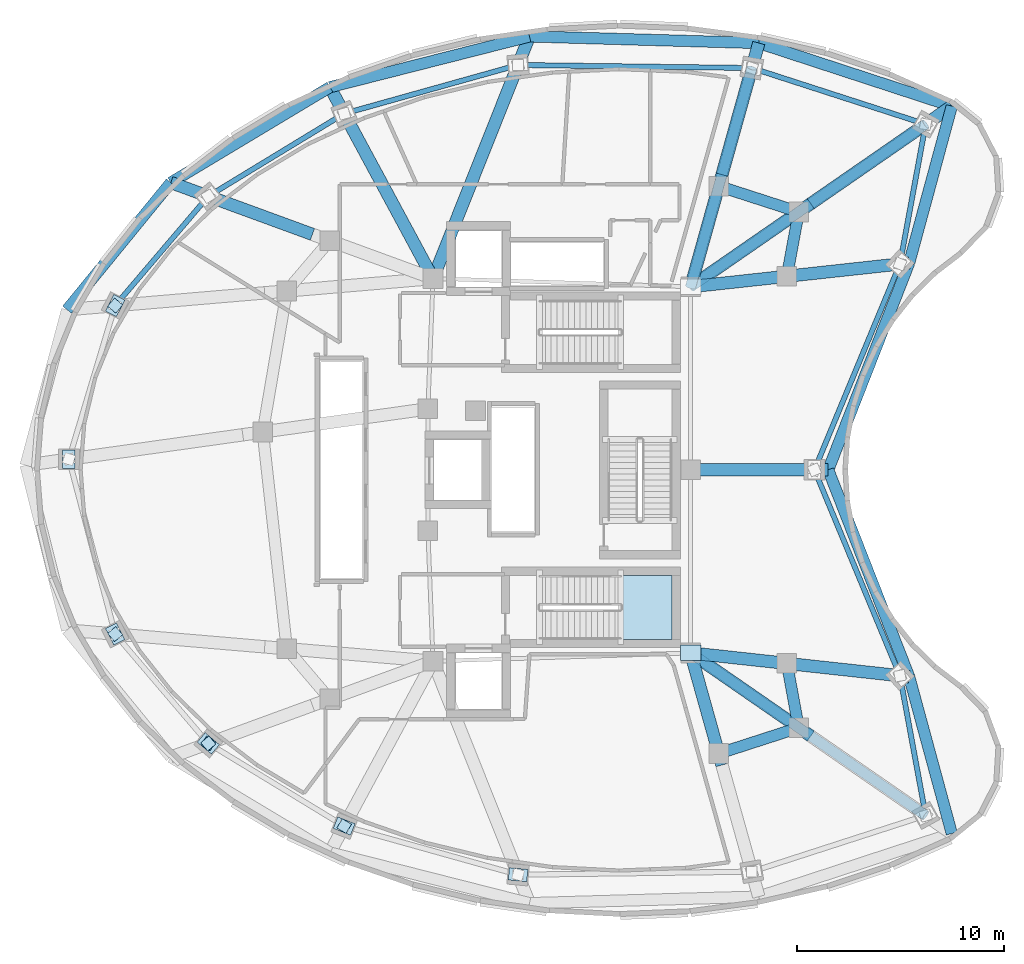
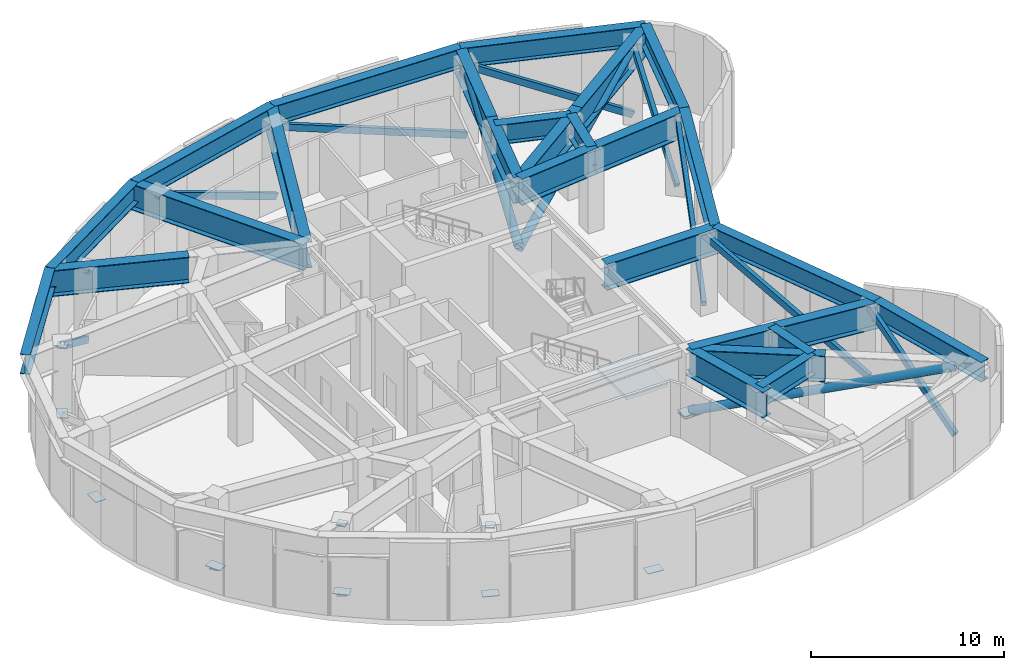
# One storey, part 2 of 10: 27 beams, 13 plates, 12 members, 1 slab, 1 element without a shape of its own.
"""IFC4 building model written with IfcOpenShell, lengths in metres."""

from ifc_helpers import new_model, si_unit, direction, frame, origin, origin_2d, place, context, subcontext, project, spatial, polyline, rectangle, hollow_rectangle, hollow_circle, i_section, outline, extrude, material, layer, layer_set, material_profile, profile_set, type_object, element, aggregate, save


model = new_model("IFC4")

# Units and contexts
model_context = context("Model", 3, precision=1e-05, world=origin(), true_north=direction((0.0, 1.0)))
body_context = subcontext(model_context, "Body", "Model", "MODEL_VIEW")
ifc_project = project(units=[si_unit("LENGTHUNIT", "METRE"), si_unit("AREAUNIT", "SQUARE_METRE"), si_unit("VOLUMEUNIT", "CUBIC_METRE"), si_unit("PLANEANGLEUNIT", "RADIAN"), si_unit("MASSUNIT", "GRAM", prefix="KILO")], contexts=[model_context])

# Site, building, storey
site_placement = place(None, origin())
site = spatial("IfcSite", under=ifc_project, at=site_placement, CompositionType="ELEMENT")
building_placement = place(site_placement, origin())
building = spatial("IfcBuilding", under=site, at=building_placement, Name="Korentha Bioscience Tower", CompositionType="ELEMENT")
storey_placement = place(building_placement, frame((0.0, 0.0, 213.0)))
storey = spatial("IfcBuildingStorey", under=building, at=storey_placement, Name="L49", CompositionType="ELEMENT", Elevation=213.0)

# Members
ifc_material_1 = material(Name="Steel S355", Category="steel")
ifc_material_profile_1 = material_profile(ifc_material_1, hollow_rectangle(XDim=0.25, YDim=0.39990234375, WallThickness=0.02001953125, at=origin_2d()), Name="Steel S355")
ifc_profile_set_1 = profile_set([ifc_material_profile_1], Name="Steel S355 (BT-D400)")
member_type_1 = type_object("IfcMemberType", Name="Belt-Truss Web Diagonal RHS 400x250x20", PredefinedType="BRACE", material=ifc_profile_set_1)
member_1_placement = place(storey_placement, frame((48.912841796875, 43.707763671875, 0.35009765625), z_axis=(-0.851704632584, 0.275258229599, 0.445905960795), x_axis=(-0.307523670151, -0.951540431246, 0.0)))
element("IfcMember", 1, at=member_1_placement, inside=storey, type_object=member_type_1, Name="L49 Perimeter Belt-Truss Diagonal 01", PredefinedType="BRACE", context=body_context, shape_type="SweptSolid", body=[
    extrude(hollow_rectangle(XDim=0.25, YDim=0.39990234375, WallThickness=0.02001953125, at=origin_2d()), origin(), (0.0, 0.0, 1.0), 9.867431640625),
])
member_2_placement = place(storey_placement, frame((40.5087890625, 46.423828125, 0.35009765625), z_axis=(-0.931774032831, 0.012120048568, 0.362836404133), x_axis=(-0.013006397415, -0.999915413236, 0.0)))
element("IfcMember", 2, at=member_2_placement, inside=storey, type_object=member_type_1, Name="L49 Perimeter Belt-Truss Diagonal 02", PredefinedType="BRACE", context=body_context, shape_type="SweptSolid", body=[
    extrude(hollow_rectangle(XDim=0.25, YDim=0.39990234375, WallThickness=0.02001953125, at=origin_2d()), origin(), (0.0, 0.0, 1.0), 12.12646484375),
])
member_3_placement = place(storey_placement, frame((29.209716796875, 46.57080078125, 0.35009765625), z_axis=(-0.859997957436, -0.240436787368, 0.450104059619), x_axis=(0.269253325258, -0.963069388381, 0.0)))
element("IfcMember", 3, at=member_3_placement, inside=storey, type_object=member_type_1, Name="L49 Perimeter Belt-Truss Diagonal 03", PredefinedType="BRACE", context=body_context, shape_type="SweptSolid", body=[
    extrude(hollow_rectangle(XDim=0.25, YDim=0.39990234375, WallThickness=0.02001953125, at=origin_2d()), origin(), (0.0, 0.0, 1.0), 9.775390625),
])
member_4_placement = place(storey_placement, frame((20.802978515625, 44.220458984375, 0.35009765625), z_axis=(-0.741483366715, -0.45104768644, 0.496747824799), x_axis=(0.519703104755, -0.854346933574, 0.0)))
element("IfcMember", 4, at=member_4_placement, inside=storey, type_object=member_type_1, Name="L49 Perimeter Belt-Truss Diagonal 04", PredefinedType="BRACE", context=body_context, shape_type="SweptSolid", body=[
    extrude(hollow_rectangle(XDim=0.25, YDim=0.39990234375, WallThickness=0.02001953125, at=origin_2d()), origin(), (0.0, 0.0, 1.0), 8.857421875),
])
member_5_placement = place(storey_placement, frame((14.2353515625, 40.225341796875, 0.35009765625), z_axis=(-0.547708072652, -0.64302234625, 0.535292564281), x_axis=(0.76127344642, -0.648430983047, 0.0)))
element("IfcMember", 5, at=member_5_placement, inside=storey, type_object=member_type_1, Name="L49 Perimeter Belt-Truss Diagonal 05", PredefinedType="BRACE", context=body_context, shape_type="SweptSolid", body=[
    extrude(hollow_rectangle(XDim=0.25, YDim=0.39990234375, WallThickness=0.02001953125, at=origin_2d()), origin(), (0.0, 0.0, 1.0), 8.2197265625),
])
member_6_placement = place(storey_placement, frame((48.912841796875, 10.292236328125, 0.35009765625), z_axis=(-0.152375689446, 0.828144362851, 0.539405750381), x_axis=(-0.98349066461, -0.180958869982, 0.0)))
element("IfcMember", 6, at=member_6_placement, inside=storey, type_object=member_type_1, Name="L49 Perimeter Belt-Truss Diagonal 13", PredefinedType="BRACE", context=body_context, shape_type="SweptSolid", body=[
    extrude(hollow_rectangle(XDim=0.25, YDim=0.39990234375, WallThickness=0.02001953125, at=origin_2d()), origin(), (0.0, 0.0, 1.0), 8.156982421875),
])
for number, where, z_axis, x_axis, name in (
    (7, (47.669921875, 17.04736328125, 0.35009765625), (-0.355064847756, 0.855016456, 0.377989171614), (-0.923533382676, -0.383518045315, 0.0), "L49 Perimeter Belt-Truss Diagonal 14"),
    (8, (43.536865234375, 27.0, 0.35009765625), (0.355064847756, 0.855016456, 0.377989171614), (-0.923533382676, 0.383518045315, 0.0), "L49 Perimeter Belt-Truss Diagonal 15"),
):
    element("IfcMember", number, at=place(storey_placement, frame(where, z_axis=z_axis, x_axis=x_axis)), inside=storey, type_object=member_type_1, Name=name, PredefinedType="BRACE", context=body_context, shape_type="SweptSolid", body=[
        extrude(hollow_rectangle(XDim=0.25, YDim=0.39990234375, WallThickness=0.02001953125, at=origin_2d()), origin(), (0.0, 0.0, 1.0), 11.640380859375),
    ])
member_7_placement = place(storey_placement, frame((47.669921875, 36.95263671875, 0.35009765625), z_axis=(0.152375689446, 0.828144362851, 0.539405750381), x_axis=(-0.98349066461, 0.180958869982, 0.0)))
element("IfcMember", 9, at=member_7_placement, inside=storey, type_object=member_type_1, Name="L49 Perimeter Belt-Truss Diagonal 16", PredefinedType="BRACE", context=body_context, shape_type="SweptSolid", body=[
    extrude(hollow_rectangle(XDim=0.25, YDim=0.39990234375, WallThickness=0.02001953125, at=origin_2d()), origin(), (0.0, 0.0, 1.0), 8.156982421875),
])

# Beams
ifc_material_profile_2 = material_profile(ifc_material_1, i_section(OverallWidth=0.550048828125, OverallDepth=1.25, WebThickness=0.02392578125, FlangeThickness=0.0400390625, at=origin_2d()), Name="Steel S355")
ifc_profile_set_2 = profile_set([ifc_material_profile_2], Name="Steel S355 (TG-03)")
beam_type_1 = type_object("IfcBeamType", Name="Crown Step Transfer Girder CVS 1250x510", PredefinedType="USERDEFINED", material=ifc_profile_set_2)
for number, where, z_axis, x_axis, name in (
    (10, (42.77685546875, 39.464599609375, 4.47509765625), (-0.951528341902, 0.307561074514, 0.0), (-0.307561074514, -0.951528341902, 0.0), "L49 Mid-Ring Tie Girder 01"),
    (11, (38.9111328125, 13.285888671875, 4.47509765625), (0.951528341902, 0.307561074514, 0.0), (-0.307561074514, 0.951528341902, 0.0), "L49 Mid-Ring Tie Girder 12"),
):
    element("IfcBeam", number, at=place(storey_placement, frame(where, z_axis=z_axis, x_axis=x_axis)), inside=storey, type_object=beam_type_1, Name=name, ObjectType="TRANSFER_GIRDER", PredefinedType="USERDEFINED", context=body_context, shape_type="SweptSolid", body=[
        extrude(i_section(OverallWidth=0.550048828125, OverallDepth=1.25, WebThickness=0.02392578125, FlangeThickness=0.0400390625, at=origin_2d()), origin(), (0.0, 0.0, 1.0), 4.062744140625),
    ])
for number, where, z_axis, x_axis, name in (
    (12, (42.77685546875, 14.535400390625, 4.47509765625), (-0.180965758034, 0.983489397207, 0.0), (-0.983489397207, -0.180965758034, 0.0), "L49 Mid-Ring Tie Girder 13"),
    (13, (42.205078125, 36.357177734375, 4.47509765625), (0.180965758034, 0.983489397207, 0.0), (-0.983489397207, 0.180965758034, 0.0), "L49 Mid-Ring Tie Girder 16"),
):
    element("IfcBeam", number, at=place(storey_placement, frame(where, z_axis=z_axis, x_axis=x_axis)), inside=storey, type_object=beam_type_1, Name=name, ObjectType="TRANSFER_GIRDER", PredefinedType="USERDEFINED", context=body_context, shape_type="SweptSolid", body=[
        extrude(i_section(OverallWidth=0.550048828125, OverallDepth=1.25, WebThickness=0.02392578125, FlangeThickness=0.0400390625, at=origin_2d()), origin(), (0.0, 0.0, 1.0), 3.15966796875),
    ])
beam_1_placement = place(storey_placement, frame((50.175537109375, 44.580810546875, 4.47509765625), z_axis=(-0.950449256032, 0.310879738338, 0.0), x_axis=(-0.310879738338, -0.950449256032, 0.0)))
element("IfcBeam", 14, at=beam_1_placement, inside=storey, type_object=beam_type_1, Name="L49 Perimeter Spandrel Girder 01", ObjectType="TRANSFER_GIRDER", PredefinedType="USERDEFINED", context=body_context, shape_type="SweptSolid", body=[
    extrude(i_section(OverallWidth=0.550048828125, OverallDepth=1.25, WebThickness=0.02392578125, FlangeThickness=0.0400390625, at=origin_2d()), origin(), (0.0, 0.0, 1.0), 9.81494140625),
])
beam_2_placement = place(storey_placement, frame((40.846923828125, 47.632080078125, 4.47509765625), z_axis=(-0.999586140554, 0.028767127286, 0.0), x_axis=(-0.028767127286, -0.999586140554, 0.0)))
element("IfcBeam", 15, at=beam_2_placement, inside=storey, type_object=beam_type_1, Name="L49 Perimeter Spandrel Girder 02", ObjectType="TRANSFER_GIRDER", PredefinedType="USERDEFINED", context=body_context, shape_type="SweptSolid", body=[
    extrude(i_section(OverallWidth=0.550048828125, OverallDepth=1.25, WebThickness=0.02392578125, FlangeThickness=0.0400390625, at=origin_2d()), origin(), (0.0, 0.0, 1.0), 11.09228515625),
])
beam_3_placement = place(storey_placement, frame((29.75927734375, 47.951171875, 4.47509765625), z_axis=(-0.969197317616, -0.246285524395, 0.0), x_axis=(0.246285524395, -0.969197317616, 0.0)))
element("IfcBeam", 16, at=beam_3_placement, inside=storey, type_object=beam_type_1, Name="L49 Perimeter Spandrel Girder 03", ObjectType="TRANSFER_GIRDER", PredefinedType="USERDEFINED", context=body_context, shape_type="SweptSolid", body=[
    extrude(i_section(OverallWidth=0.550048828125, OverallDepth=1.25, WebThickness=0.02392578125, FlangeThickness=0.0400390625, at=origin_2d()), origin(), (0.0, 0.0, 1.0), 9.95263671875),
])
beam_4_placement = place(storey_placement, frame((20.11328125, 45.5, 4.47509765625), z_axis=(-0.857644232791, -0.514243492872, 0.0), x_axis=(0.514243492872, -0.857644232791, 0.0)))
element("IfcBeam", 17, at=beam_4_placement, inside=storey, type_object=beam_type_1, Name="L49 Perimeter Spandrel Girder 04", ObjectType="TRANSFER_GIRDER", PredefinedType="USERDEFINED", context=body_context, shape_type="SweptSolid", body=[
    extrude(i_section(OverallWidth=0.550048828125, OverallDepth=1.25, WebThickness=0.02392578125, FlangeThickness=0.0400390625, at=origin_2d()), origin(), (0.0, 0.0, 1.0), 8.96728515625),
])
beam_5_placement = place(storey_placement, frame((12.422607421875, 40.888671875, 4.47509765625), z_axis=(-0.632315820697, -0.774710722074, 0.0), x_axis=(0.774710722074, -0.632315820697, 0.0)))
element("IfcBeam", 18, at=beam_5_placement, inside=storey, type_object=beam_type_1, Name="L49 Perimeter Spandrel Girder 05", ObjectType="TRANSFER_GIRDER", PredefinedType="USERDEFINED", context=body_context, shape_type="SweptSolid", body=[
    extrude(i_section(OverallWidth=0.550048828125, OverallDepth=1.25, WebThickness=0.02392578125, FlangeThickness=0.0400390625, at=origin_2d()), origin(), (0.0, 0.0, 1.0), 7.934814453125),
])
beam_6_placement = place(storey_placement, frame((50.175537109375, 9.419189453125, 4.47509765625), z_axis=(-0.26215989838, 0.965024449266, 0.0), x_axis=(-0.965024449266, -0.26215989838, 0.0)))
element("IfcBeam", 19, at=beam_6_placement, inside=storey, type_object=beam_type_1, Name="L49 Perimeter Spandrel Girder 13", ObjectType="TRANSFER_GIRDER", PredefinedType="USERDEFINED", context=body_context, shape_type="SweptSolid", body=[
    extrude(i_section(OverallWidth=0.550048828125, OverallDepth=1.25, WebThickness=0.02392578125, FlangeThickness=0.0400390625, at=origin_2d()), origin(), (0.0, 0.0, 1.0), 7.854248046875),
])
for number, where, z_axis, x_axis, name in (
    (20, (48.116455078125, 16.998779296875, 4.47509765625), (-0.364482486075, 0.931210243363, 0.0), (-0.931210243363, -0.364482486075, 0.0), "L49 Perimeter Spandrel Girder 14"),
    (21, (44.201904296875, 27.0, 4.47509765625), (0.364482486075, 0.931210243363, 0.0), (-0.931210243363, 0.364482486075, 0.0), "L49 Perimeter Spandrel Girder 15"),
):
    element("IfcBeam", number, at=place(storey_placement, frame(where, z_axis=z_axis, x_axis=x_axis)), inside=storey, type_object=beam_type_1, Name=name, ObjectType="TRANSFER_GIRDER", PredefinedType="USERDEFINED", context=body_context, shape_type="SweptSolid", body=[
        extrude(i_section(OverallWidth=0.550048828125, OverallDepth=1.25, WebThickness=0.02392578125, FlangeThickness=0.0400390625, at=origin_2d()), origin(), (0.0, 0.0, 1.0), 10.739990234375),
    ])
beam_7_placement = place(storey_placement, frame((48.116455078125, 37.001220703125, 4.47509765625), z_axis=(0.26215989838, 0.965024449266, 0.0), x_axis=(-0.965024449266, 0.26215989838, 0.0)))
element("IfcBeam", 22, at=beam_7_placement, inside=storey, type_object=beam_type_1, Name="L49 Perimeter Spandrel Girder 16", ObjectType="TRANSFER_GIRDER", PredefinedType="USERDEFINED", context=body_context, shape_type="SweptSolid", body=[
    extrude(i_section(OverallWidth=0.550048828125, OverallDepth=1.25, WebThickness=0.02392578125, FlangeThickness=0.0400390625, at=origin_2d()), origin(), (0.0, 0.0, 1.0), 7.854248046875),
])
ifc_material_profile_3 = material_profile(ifc_material_1, i_section(OverallWidth=0.60009765625, OverallDepth=1.64990234375, WebThickness=0.02587890625, FlangeThickness=0.0439453125, at=origin_2d()), Name="Steel S355")
ifc_profile_set_3 = profile_set([ifc_material_profile_3], Name="Steel S355 (TG-04)")
beam_type_2 = type_object("IfcBeamType", Name="Deep Setback Transfer Girder CVS 1650x620", PredefinedType="USERDEFINED", material=ifc_profile_set_3)
beam_8_placement = place(storey_placement, frame((37.550048828125, 35.85009765625, 4.27490234375), z_axis=(0.822493302413, 0.568774795052, 0.0), x_axis=(-0.568774795052, 0.822493302413, 0.0)))
element("IfcBeam", 23, at=beam_8_placement, inside=storey, type_object=beam_type_2, Name="L49 Inner Radial Transfer Girder 01", ObjectType="TRANSFER_GIRDER", PredefinedType="USERDEFINED", context=body_context, shape_type="SweptSolid", body=[
    extrude(i_section(OverallWidth=0.60009765625, OverallDepth=1.64990234375, WebThickness=0.02587890625, FlangeThickness=0.0439453125, at=origin_2d()), origin(), (0.0, 0.0, 1.0), 7.06103515625),
])
beam_9_placement = place(storey_placement, frame((43.357666015625, 39.8662109375, 4.27490234375), z_axis=(0.82250061903, 0.568764214499, 0.0), x_axis=(-0.568764214499, 0.82250061903, 0.0)))
element("IfcBeam", 24, at=beam_9_placement, inside=storey, type_object=beam_type_2, Name="L49 Outer Radial Transfer Girder 01", ObjectType="TRANSFER_GIRDER", PredefinedType="USERDEFINED", context=body_context, shape_type="SweptSolid", body=[
    extrude(i_section(OverallWidth=0.60009765625, OverallDepth=1.64990234375, WebThickness=0.02587890625, FlangeThickness=0.0439453125, at=origin_2d()), origin(), (0.0, 0.0, 1.0), 8.289306640625),
])
beam_10_placement = place(storey_placement, frame((37.550048828125, 35.85009765625, 4.27490234375), z_axis=(0.269480278508, 0.963005908339, 0.0), x_axis=(-0.963005908339, 0.269480278508, 0.0)))
element("IfcBeam", 25, at=beam_10_placement, inside=storey, type_object=beam_type_2, Name="L49 Inner Radial Transfer Girder 02", ObjectType="TRANSFER_GIRDER", PredefinedType="USERDEFINED", context=body_context, shape_type="SweptSolid", body=[
    extrude(i_section(OverallWidth=0.60009765625, OverallDepth=1.64990234375, WebThickness=0.02587890625, FlangeThickness=0.0439453125, at=origin_2d()), origin(), (0.0, 0.0, 1.0), 5.6279296875),
])
beam_11_placement = place(storey_placement, frame((39.066650390625, 41.269775390625, 4.27490234375), z_axis=(0.269465439817, 0.963010060562, 0.0), x_axis=(-0.963010060562, 0.269465439817, 0.0)))
element("IfcBeam", 26, at=beam_11_placement, inside=storey, type_object=beam_type_2, Name="L49 Outer Radial Transfer Girder 02", ObjectType="TRANSFER_GIRDER", PredefinedType="USERDEFINED", context=body_context, shape_type="SweptSolid", body=[
    extrude(i_section(OverallWidth=0.60009765625, OverallDepth=1.64990234375, WebThickness=0.02587890625, FlangeThickness=0.0439453125, at=origin_2d()), origin(), (0.0, 0.0, 1.0), 6.606689453125),
])
beam_12_placement = place(storey_placement, frame((25.10009765625, 36.25, 4.27490234375), z_axis=(0.369933042289, 0.929058418089, 0.0), x_axis=(-0.929058418089, 0.369933042289, 0.0)))
element("IfcBeam", 27, at=beam_12_placement, inside=storey, type_object=beam_type_2, Name="L49 Radial Transfer Girder 03", ObjectType="TRANSFER_GIRDER", PredefinedType="USERDEFINED", context=body_context, shape_type="SweptSolid", body=[
    extrude(i_section(OverallWidth=0.60009765625, OverallDepth=1.64990234375, WebThickness=0.02587890625, FlangeThickness=0.0439453125, at=origin_2d()), origin(), (0.0, 0.0, 1.0), 12.5947265625),
])
beam_13_placement = place(storey_placement, frame((25.10009765625, 36.25, 4.27490234375), z_axis=(-0.474545867703, 0.880230776243, 0.0), x_axis=(-0.880230776243, -0.474545867703, 0.0)))
element("IfcBeam", 28, at=beam_13_placement, inside=storey, type_object=beam_type_2, Name="L49 Radial Transfer Girder 04", ObjectType="TRANSFER_GIRDER", PredefinedType="USERDEFINED", context=body_context, shape_type="SweptSolid", body=[
    extrude(i_section(OverallWidth=0.60009765625, OverallDepth=1.64990234375, WebThickness=0.02587890625, FlangeThickness=0.0439453125, at=origin_2d()), origin(), (0.0, 0.0, 1.0), 10.508544921875),
])
beam_14_placement = place(storey_placement, frame((19.268310546875, 38.3837890625, 4.27490234375), z_axis=(-0.939107036581, 0.343624757322, 0.0), x_axis=(-0.343624757322, -0.939107036581, 0.0)))
element("IfcBeam", 29, at=beam_14_placement, inside=storey, type_object=beam_type_2, Name="L49 Outer Radial Transfer Girder 05", ObjectType="TRANSFER_GIRDER", PredefinedType="USERDEFINED", context=body_context, shape_type="SweptSolid", body=[
    extrude(i_section(OverallWidth=0.60009765625, OverallDepth=1.64990234375, WebThickness=0.02587890625, FlangeThickness=0.0439453125, at=origin_2d()), origin(), (0.0, 0.0, 1.0), 7.28955078125),
])
beam_15_placement = place(storey_placement, frame((37.550048828125, 18.14990234375, 4.27490234375), z_axis=(0.269480278508, -0.963005908339, 0.0), x_axis=(0.963005908339, 0.269480278508, 0.0)))
element("IfcBeam", 30, at=beam_15_placement, inside=storey, type_object=beam_type_2, Name="L49 Inner Radial Transfer Girder 12", ObjectType="TRANSFER_GIRDER", PredefinedType="USERDEFINED", context=body_context, shape_type="SweptSolid", body=[
    extrude(i_section(OverallWidth=0.60009765625, OverallDepth=1.64990234375, WebThickness=0.02587890625, FlangeThickness=0.0439453125, at=origin_2d()), origin(), (0.0, 0.0, 1.0), 5.6279296875),
])
beam_16_placement = place(storey_placement, frame((37.550048828125, 18.14990234375, 4.27490234375), z_axis=(0.822493302413, -0.568774795052, 0.0), x_axis=(0.568774795052, 0.822493302413, 0.0)))
element("IfcBeam", 31, at=beam_16_placement, inside=storey, type_object=beam_type_2, Name="L49 Inner Radial Transfer Girder 13", ObjectType="TRANSFER_GIRDER", PredefinedType="USERDEFINED", context=body_context, shape_type="SweptSolid", body=[
    extrude(i_section(OverallWidth=0.60009765625, OverallDepth=1.64990234375, WebThickness=0.02587890625, FlangeThickness=0.0439453125, at=origin_2d()), origin(), (0.0, 0.0, 1.0), 7.06103515625),
])
beam_17_placement = place(storey_placement, frame((37.550048828125, 18.14990234375, 4.27490234375), z_axis=(0.994117728659, -0.108304854762, 0.0), x_axis=(0.108304854762, 0.994117728659, 0.0)))
element("IfcBeam", 32, at=beam_17_placement, inside=storey, type_object=beam_type_2, Name="L49 Inner Radial Transfer Girder 14", ObjectType="TRANSFER_GIRDER", PredefinedType="USERDEFINED", context=body_context, shape_type="SweptSolid", body=[
    extrude(i_section(OverallWidth=0.60009765625, OverallDepth=1.64990234375, WebThickness=0.02587890625, FlangeThickness=0.0439453125, at=origin_2d()), origin(), (0.0, 0.0, 1.0), 4.889404296875),
])
beam_18_placement = place(storey_placement, frame((42.41064453125, 17.620361328125, 4.27490234375), z_axis=(0.994118507308, -0.108297707398, 0.0), x_axis=(0.108297707398, 0.994118507308, 0.0)))
element("IfcBeam", 33, at=beam_18_placement, inside=storey, type_object=beam_type_2, Name="L49 Outer Radial Transfer Girder 14", ObjectType="TRANSFER_GIRDER", PredefinedType="USERDEFINED", context=body_context, shape_type="SweptSolid", body=[
    extrude(i_section(OverallWidth=0.60009765625, OverallDepth=1.64990234375, WebThickness=0.02587890625, FlangeThickness=0.0439453125, at=origin_2d()), origin(), (0.0, 0.0, 1.0), 5.739501953125),
])
beam_19_placement = place(storey_placement, frame((37.550048828125, 27.0, 4.27490234375), z_axis=(1.0, 0.0, 0.0), x_axis=(0.0, 1.0, 0.0)))
element("IfcBeam", 34, at=beam_19_placement, inside=storey, type_object=beam_type_2, Name="L49 Radial Transfer Girder 15", ObjectType="TRANSFER_GIRDER", PredefinedType="USERDEFINED", context=body_context, shape_type="SweptSolid", body=[
    extrude(i_section(OverallWidth=0.60009765625, OverallDepth=1.64990234375, WebThickness=0.02587890625, FlangeThickness=0.0439453125, at=origin_2d()), origin(), (0.0, 0.0, 1.0), 6.65185546875),
])
beam_20_placement = place(storey_placement, frame((37.550048828125, 35.85009765625, 4.27490234375), z_axis=(0.994117728659, 0.108304854762, 0.0), x_axis=(-0.108304854762, 0.994117728659, 0.0)))
element("IfcBeam", 35, at=beam_20_placement, inside=storey, type_object=beam_type_2, Name="L49 Inner Radial Transfer Girder 16", ObjectType="TRANSFER_GIRDER", PredefinedType="USERDEFINED", context=body_context, shape_type="SweptSolid", body=[
    extrude(i_section(OverallWidth=0.60009765625, OverallDepth=1.64990234375, WebThickness=0.02587890625, FlangeThickness=0.0439453125, at=origin_2d()), origin(), (0.0, 0.0, 1.0), 4.889404296875),
])
beam_21_placement = place(storey_placement, frame((42.41064453125, 36.379638671875, 4.27490234375), z_axis=(0.994118507308, 0.108297707398, 0.0), x_axis=(-0.108297707398, 0.994118507308, 0.0)))
element("IfcBeam", 36, at=beam_21_placement, inside=storey, type_object=beam_type_2, Name="L49 Outer Radial Transfer Girder 16", ObjectType="TRANSFER_GIRDER", PredefinedType="USERDEFINED", context=body_context, shape_type="SweptSolid", body=[
    extrude(i_section(OverallWidth=0.60009765625, OverallDepth=1.64990234375, WebThickness=0.02587890625, FlangeThickness=0.0439453125, at=origin_2d()), origin(), (0.0, 0.0, 1.0), 5.739501953125),
])

# Members
ifc_material_profile_4 = material_profile(ifc_material_1, hollow_circle(Radius=0.25390625, WallThickness=0.02490234375, at=origin_2d()), Name="Steel S355")
ifc_profile_set_4 = profile_set([ifc_material_profile_4], Name="Steel S355 (OU-508)")
member_type_2 = type_object("IfcMemberType", Name="Outrigger Diagonal Brace CHS 508x25", PredefinedType="USERDEFINED", material=ifc_profile_set_4)
member_8_placement = place(storey_placement, frame((37.550048828125, 35.85009765625, 0.60009765625), z_axis=(0.789279090583, 0.545806959959, 0.281306380357), x_axis=(-0.568775237311, 0.822492996579, 0.0)))
element("IfcMember", 37, at=member_8_placement, inside=storey, type_object=member_type_2, Name="L49 Outrigger Truss Diagonal 01", ObjectType="OUTRIGGER", PredefinedType="USERDEFINED", context=body_context, shape_type="SweptSolid", body=[
    extrude(hollow_circle(Radius=0.25390625, WallThickness=0.02490234375, at=origin_2d()), origin(), (0.0, 0.0, 1.0), 14.396484375),
])
member_9_placement = place(storey_placement, frame((37.550048828125, 35.85009765625, 0.75), z_axis=(0.253927346177, 0.907467065181, 0.334700505639), x_axis=(-0.963009037631, 0.269469095522, 0.0)))
element("IfcMember", 38, at=member_9_placement, inside=storey, type_object=member_type_2, Name="L49 Outrigger Truss Diagonal 02", ObjectType="OUTRIGGER", PredefinedType="USERDEFINED", context=body_context, shape_type="SweptSolid", body=[
    extrude(hollow_circle(Radius=0.25390625, WallThickness=0.02490234375, at=origin_2d()), origin(), (0.0, 0.0, 1.0), 11.65185546875),
])
member_10_placement = place(storey_placement, frame((37.550048828125, 18.14990234375, 1.050048828125), z_axis=(0.795915756845, -0.550396386791, 0.252154566514), x_axis=(0.568775237311, 0.822492996579, 0.0)))
element("IfcMember", 39, at=member_10_placement, inside=storey, type_object=member_type_2, Name="L49 Outrigger Truss Diagonal 04", ObjectType="OUTRIGGER", PredefinedType="USERDEFINED", context=body_context, shape_type="SweptSolid", body=[
    extrude(hollow_circle(Radius=0.25390625, WallThickness=0.02490234375, at=origin_2d()), origin(), (0.0, 0.0, 1.0), 14.2763671875),
])

# Plates
ifc_layer_1 = layer(ifc_material_1, 0.031982421875, Name="Steel S355")
ifc_layer_set_1 = layer_set([ifc_layer_1], Name="Steel S355 (KN-01)")
plate_type_1 = type_object("IfcPlateType", Name="Belt-Truss Kink Gusset Plate 900x600x32", PredefinedType="USERDEFINED", material=ifc_layer_set_1)
for number, where, z_axis, x_axis, name in (
    (40, (9.7333984375, 34.93994140625, 0.43408203125), (0.0, 0.0, 1.0), (0.453057191132, 0.891481453292, 0.0), "L49 Belt-Truss Kink Node Gusset KN-06"),
    (41, (7.4990234375, 27.51611328125, 0.43408203125), (0.0, 0.0, 1.0), (0.0, 1.0, 0.0), "L49 Belt-Truss Kink Node Gusset KN-07"),
    (42, (9.7333984375, 19.06005859375, 0.43408203125), (0.0, 0.0, 1.0), (-0.453057191132, 0.891481453292, 0.0), "L49 Belt-Truss Kink Node Gusset KN-08"),
    (43, (14.2353515625, 13.774658203125, 0.43408203125), (0.0, 0.0, 1.0), (-0.764246456939, 0.644924300253, 0.0), "L49 Belt-Truss Kink Node Gusset KN-09"),
    (44, (20.802978515625, 9.779541015625, 0.43408203125), (0.0, 0.0, 1.0), (-0.930225540858, 0.366988341962, 0.0), "L49 Belt-Truss Kink Node Gusset KN-10"),
    (45, (29.209716796875, 7.42919921875, 0.43408203125), (0.0, 0.0, 1.0), (-0.995462868748, 0.095150811579, 0.0), "L49 Belt-Truss Kink Node Gusset KN-11"),
):
    element("IfcPlate", number, at=place(storey_placement, frame(where, z_axis=z_axis, x_axis=x_axis)), inside=storey, type_object=plate_type_1, Name=name, ObjectType="GUSSET_PLATE", PredefinedType="USERDEFINED", context=body_context, shape_type="SweptSolid", body=[
        extrude(rectangle(XDim=0.89990234375, YDim=0.60009765625, at=origin_2d()), origin(), (0.0, 0.0, 1.0), 0.031982421875),
    ])
ifc_layer_2 = layer(ifc_material_1, 0.080078125, Name="Steel S355")
ifc_layer_set_2 = layer_set([ifc_layer_2], Name="Steel S355 (CP-01)")
plate_type_2 = type_object("IfcPlateType", Name="Hollow Section End Cap Plate 520x520x80", PredefinedType="USERDEFINED", material=ifc_layer_set_2)
for number, where, z_axis, x_axis, name in (
    (46, (9.7333984375, 34.93994140625, 4.7099609375), (0.0, 0.0, 1.0), (0.648385688589, 0.761312024621, 0.0), "L49 Belt-Truss 05 End Cap 2"),
    (47, (9.7333984375, 19.06005859375, 0.31005859375), (0.0, 0.0, 1.0), (-0.648385688589, 0.761312024621, 0.0), "L49 Belt-Truss 08 End Cap 1"),
    (48, (14.2353515625, 13.774658203125, 4.7099609375), (0.0, 0.0, 1.0), (-0.648385688589, 0.761312024621, 0.0), "L49 Belt-Truss 08 End Cap 2"),
    (49, (14.2353515625, 13.774658203125, 0.31005859375), (0.0, 0.0, 1.0), (-0.854368143929, 0.519668235165, 0.0), "L49 Belt-Truss 09 End Cap 1"),
    (50, (20.802978515625, 9.779541015625, 4.7099609375), (0.0, 0.0, 1.0), (-0.854368143929, 0.519668235165, 0.0), "L49 Belt-Truss 09 End Cap 2"),
):
    element("IfcPlate", number, at=place(storey_placement, frame(where, z_axis=z_axis, x_axis=x_axis)), inside=storey, type_object=plate_type_2, Name=name, ObjectType="CAP_PLATE", PredefinedType="USERDEFINED", context=body_context, shape_type="SweptSolid", body=[
        extrude(rectangle(XDim=0.52001953125, YDim=0.52001953125, at=origin_2d()), origin(), (0.0, 0.0, 1.0), 0.080078125),
    ])

# Stair, slab
ifc_material_2 = material(Name="Precast Concrete C50", Category="concrete")
stair_type = type_object("IfcStairType", Name="Core Exit Dog-Leg Stair 1450", PredefinedType="HALF_TURN_STAIR", material=ifc_material_2)
stair_placement = place(storey_placement, origin())
stair = element("IfcStair", 51, at=stair_placement, inside=storey, type_object=stair_type, Name="L49 Tower South Pressurized Exit Stair ST-2", PredefinedType="HALF_TURN_STAIR")
ifc_material_3 = material(Name="Concrete C50", Category="concrete")
ifc_layer_3 = layer(ifc_material_3, 0.199951171875, Name="Concrete C50")
ifc_layer_set_3 = layer_set([ifc_layer_3], Name="Concrete C50 (SL-LND)")
slab_type = type_object("IfcSlabType", Name="Landing Slab 200", PredefinedType="LANDING", material=ifc_layer_set_3)
slab_placement = place(storey_placement, frame((0.0, 0.0, 2.5)))
slab = element("IfcSlab", 52, at=slab_placement, type_object=slab_type, Name="ST-2 landing 1", PredefinedType="LANDING", context=body_context, shape_type="SweptSolid", body=[
    extrude(outline(polyline([(34.169921875, 18.800048828125), (36.64990234375, 18.800048828125), (36.64990234375, 21.89990234375), (34.169921875, 21.89990234375), (34.169921875, 18.800048828125)])), origin(), (0.0, 0.0, 1.0), 0.199951171875),
])
aggregate(stair, [slab])

# Plates
ifc_layer_4 = layer(ifc_material_1, 0.035888671875, Name="Steel S355")
ifc_layer_set_4 = layer_set([ifc_layer_4], Name="Steel S355 (KN-02)")
plate_type_3 = type_object("IfcPlateType", Name="Outrigger Core Node Gusset Plate 1000x750x36", PredefinedType="USERDEFINED", material=ifc_layer_set_4)
for number, where, z_axis, x_axis, name in (
    (53, (37.550048828125, 18.14990234375, 0.8818359375), (0.0, 0.0, 1.0), (1.0, 0.0, 0.0), "L49 Outrigger Core Gusset KN-03"),
    (54, (37.550048828125, 18.14990234375, 1.0322265625), (0.0, 0.0, 1.0), (1.0, 0.0, 0.0), "L49 Outrigger Core Gusset KN-04"),
):
    element("IfcPlate", number, at=place(storey_placement, frame(where, z_axis=z_axis, x_axis=x_axis)), inside=storey, type_object=plate_type_3, Name=name, ObjectType="GUSSET_PLATE", PredefinedType="USERDEFINED", context=body_context, shape_type="SweptSolid", body=[
        extrude(rectangle(XDim=1.0, YDim=0.75, at=origin_2d()), origin(), (0.0, 0.0, 1.0), 0.035888671875),
    ])

save(model, "model.ifc")
